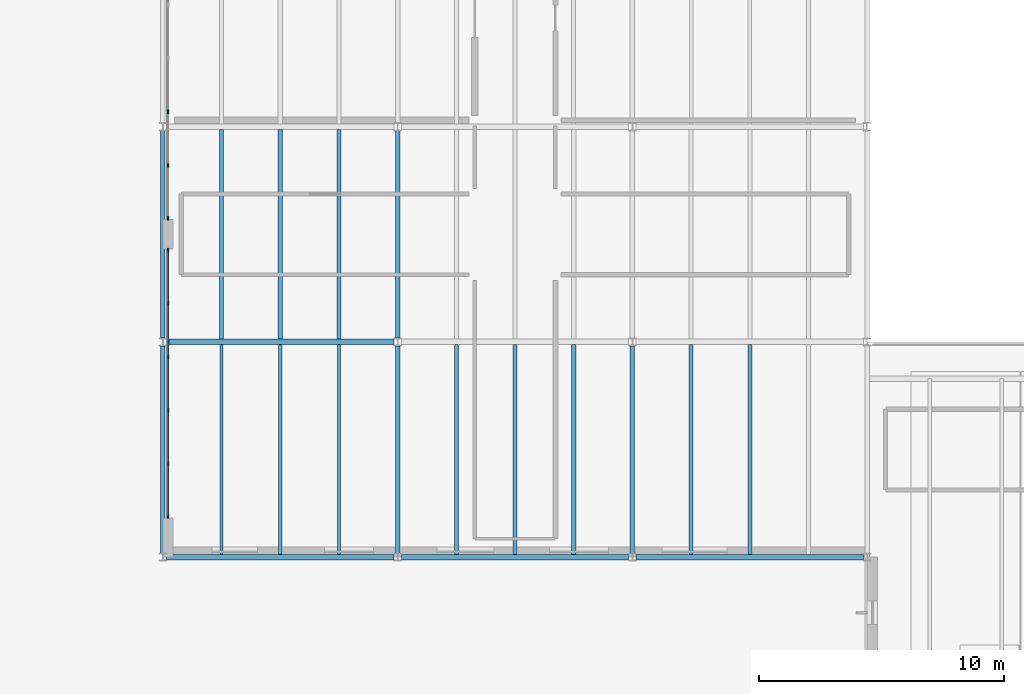
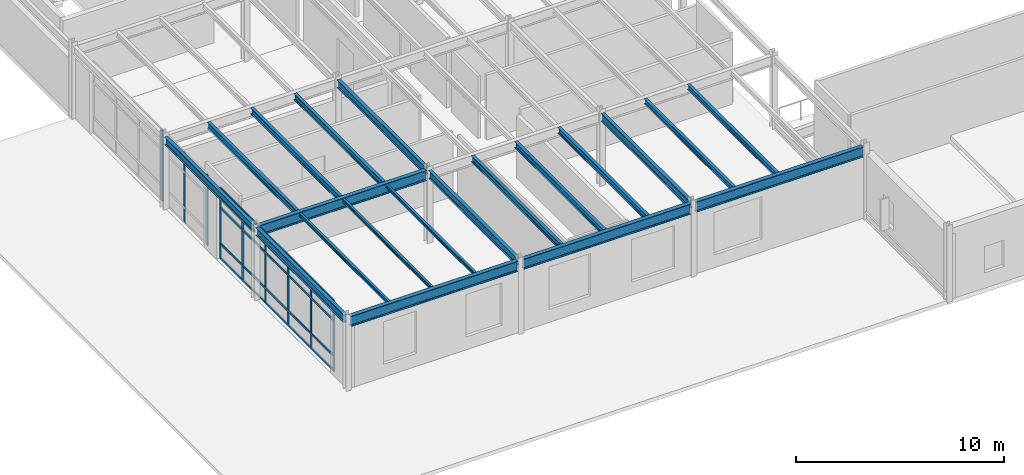
# One storey, part 18 of 77: 20 beams, 13 members, 2 elements without a shape of their own.
"""IFC4 building model written with IfcOpenShell, lengths in metres."""

from ifc_helpers import new_model, si_unit, direction, frame, origin, origin_2d, place, context, subcontext, project, spatial, rectangle, i_section, extrude, material, material_profile, profile_set, type_object, element, aggregate, save


model = new_model("IFC4")

# Units and contexts
model_context = context("Model", 3, precision=1e-05, world=origin(), true_north=direction((0.0, 1.0)))
body_context = subcontext(model_context, "Body", "Model", "MODEL_VIEW")
ifc_project = project(units=[si_unit("LENGTHUNIT", "METRE"), si_unit("AREAUNIT", "SQUARE_METRE"), si_unit("VOLUMEUNIT", "CUBIC_METRE"), si_unit("PLANEANGLEUNIT", "RADIAN"), si_unit("MASSUNIT", "GRAM", prefix="KILO")], contexts=[model_context])

# Site, building, storey
site_placement = place(None, origin())
site = spatial("IfcSite", under=ifc_project, at=site_placement, CompositionType="ELEMENT")
building_placement = place(site_placement, origin())
building = spatial("IfcBuilding", under=site, at=building_placement, Name="Sarnbrook Museum", CompositionType="ELEMENT")
storey_placement = place(building_placement, frame((0.0, 0.0, 5.60009765625)))
storey = spatial("IfcBuildingStorey", under=building, at=storey_placement, Name="L01", CompositionType="ELEMENT", Elevation=5.60009765625)

# Beams
ifc_material_1 = material(Name="Structural Steel Grade 300PLUS (AS/NZS 3679.1, fy = 280 MPa for 17 < t <= 40 mm, 300 MPa for t <= 17 mm)", Category="steel")
ifc_material_profile_1 = material_profile(ifc_material_1, i_section(OverallWidth=0.18994140625, OverallDepth=0.45703125, WebThickness=0.009033203125, FlangeThickness=0.014404296875, FilletRadius=0.011474609375, at=origin_2d()), Name="460UB74.6")
ifc_profile_set_1 = profile_set([ifc_material_profile_1], Name="Structural Steel Grade 300PLUS (AS/NZS 3679.1, fy = 280 MPa for 17 < t <= 40 mm, 300 MPa for t <= 17 mm)")
beam_type_1 = type_object("IfcBeamType", Name="BM-UB460", PredefinedType="BEAM", material=ifc_profile_set_1)
for number, where, z_axis, x_axis, name in (
    (1, (13.60009765625, 12.95751953125, 4.0615234375), (0.0, 1.0, 0.0), (-1.0, 0.0, 0.0), "Girder 2:B-C L01"),
    (2, (13.60009765625, 21.757568359375, 4.0615234375), (0.0, 1.0, 0.0), (-1.0, 0.0, 0.0), "Girder 2:C-D L01"),
    (3, (23.199951171875, 12.95751953125, 4.0615234375), (0.0, 1.0, 0.0), (-1.0, 0.0, 0.0), "Girder 3:B-C L01"),
    (4, (23.199951171875, 21.757568359375, 4.0615234375), (0.0, 1.0, 0.0), (-1.0, 0.0, 0.0), "Girder 3:C-D L01"),
    (5, (32.800048828125, 12.95751953125, 4.0615234375), (0.0, 1.0, 0.0), (-1.0, 0.0, 0.0), "Girder 4:B-C L01"),
):
    element("IfcBeam", number, at=place(storey_placement, frame(where, z_axis=z_axis, x_axis=x_axis)), inside=storey, type_object=beam_type_1, Name=name, PredefinedType="BEAM", context=body_context, shape_type="SweptSolid", body=[
        extrude(i_section(OverallWidth=0.18994140625, OverallDepth=0.45703125, WebThickness=0.009033203125, FlangeThickness=0.014404296875, FilletRadius=0.011474609375, at=origin_2d()), origin(), (0.0, 0.0, 1.0), 8.48486328125),
    ])
ifc_material_profile_2 = material_profile(ifc_material_1, i_section(OverallWidth=0.22802734375, OverallDepth=0.60693359375, WebThickness=0.01123046875, FlangeThickness=0.017333984375, FilletRadius=0.013916015625, at=origin_2d()), Name="610UB113")
ifc_profile_set_2 = profile_set([ifc_material_profile_2], Name="Structural Steel Grade 300PLUS (AS/NZS 3679.1, fy = 280 MPa for 17 < t <= 40 mm, 300 MPa for t <= 17 mm)")
beam_type_2 = type_object("IfcBeamType", Name="BM-UB610", PredefinedType="BEAM", material=ifc_profile_set_2)
for number, where, z_axis, x_axis, name in (
    (6, (13.75341796875, 12.800048828125, 3.986328125), (1.0, 0.0, 0.0), (0.0, 1.0, 0.0), "Girder B:2-3 L01"),
    (7, (23.353515625, 12.800048828125, 3.986328125), (1.0, 0.0, 0.0), (0.0, 1.0, 0.0), "Girder B:3-4 L01"),
    (8, (32.95361328125, 12.800048828125, 3.986328125), (1.0, 0.0, 0.0), (0.0, 1.0, 0.0), "Girder B:4-5 L01"),
    (9, (13.75341796875, 21.60009765625, 3.986328125), (1.0, 0.0, 0.0), (0.0, 1.0, 0.0), "Girder C:2-3 L01"),
):
    element("IfcBeam", number, at=place(storey_placement, frame(where, z_axis=z_axis, x_axis=x_axis)), inside=storey, type_object=beam_type_2, Name=name, PredefinedType="BEAM", context=body_context, shape_type="SweptSolid", body=[
        extrude(i_section(OverallWidth=0.22802734375, OverallDepth=0.60693359375, WebThickness=0.01123046875, FlangeThickness=0.017333984375, FilletRadius=0.013916015625, at=origin_2d()), origin(), (0.0, 0.0, 1.0), 9.29296875),
    ])

# Curtain wall, members
ifc_material_2 = material(Name="Thermally Broken Anodised Aluminium 6063-T6", Category="aluminium")
curtain_wall_type = type_object("IfcCurtainWallType", Name="CurtainWall_GalleryRibbon", PredefinedType="NOTDEFINED", material=ifc_material_2)
curtain_wall_1_placement = place(storey_placement, origin())
curtain_wall_1 = element("IfcCurtainWall", 10, at=curtain_wall_1_placement, inside=storey, type_object=curtain_wall_type, Name="Gallery Ribbon Curtain Wall L01-12.1", PredefinedType="NOTDEFINED")
ifc_material_profile_3 = material_profile(ifc_material_2, rectangle(XDim=0.06005859375, YDim=0.159912109375, at=origin_2d()), Name="ALU MULLION 60x160")
ifc_profile_set_3 = profile_set([ifc_material_profile_3], Name="Thermally Broken Anodised Aluminium 6063-T6")
member_type_1 = type_object("IfcMemberType", Name="CW_Mullion_150x65", PredefinedType="MULLION", material=ifc_profile_set_3)
member_1_placement = place(storey_placement, frame((13.81005859375, 31.00390625, 0.0), z_axis=(0.0, 0.0, 1.0), x_axis=(1.0, 0.0, 0.0)))
member_1 = element("IfcMember", 11, at=member_1_placement, type_object=member_type_1, Name="Gallery Ribbon Curtain Wall L01-12.1 Mullion 4", PredefinedType="MULLION", context=body_context, shape_type="SweptSolid", body=[
    extrude(rectangle(XDim=0.06005859375, YDim=0.159912109375, at=origin_2d()), origin(), (0.0, 0.0, 1.0), 4.159912109375),
])
member_2_placement = place(storey_placement, frame((13.81005859375, 28.81201171875, 0.0), z_axis=(0.0, 0.0, 1.0), x_axis=(1.0, 0.0, 0.0)))
member_2 = element("IfcMember", 12, at=member_2_placement, type_object=member_type_1, Name="Gallery Ribbon Curtain Wall L01-12.1 Mullion 5", PredefinedType="MULLION", context=body_context, shape_type="SweptSolid", body=[
    extrude(rectangle(XDim=0.06005859375, YDim=0.159912109375, at=origin_2d()), origin(), (0.0, 0.0, 1.0), 4.159912109375),
])
member_3_placement = place(storey_placement, frame((13.81005859375, 26.659912109375, 0.0), z_axis=(0.0, 0.0, 1.0), x_axis=(1.0, 0.0, 0.0)))
member_3 = element("IfcMember", 13, at=member_3_placement, type_object=member_type_1, Name="Gallery Ribbon Curtain Wall L01-12.1 Mullion 6", PredefinedType="MULLION", context=body_context, shape_type="SweptSolid", body=[
    extrude(rectangle(XDim=0.06005859375, YDim=0.159912109375, at=origin_2d()), origin(), (0.0, 0.0, 1.0), 4.159912109375),
])
aggregate(curtain_wall_1, [member_1, member_2, member_3])

curtain_wall_2_placement = place(storey_placement, origin())
curtain_wall_2 = element("IfcCurtainWall", 14, at=curtain_wall_2_placement, inside=storey, type_object=curtain_wall_type, Name="Gallery Ribbon Curtain Wall L01-12.2", PredefinedType="NOTDEFINED")
member_4_placement = place(storey_placement, frame((13.81005859375, 25.340087890625, 0.0), z_axis=(0.0, 0.0, 1.0), x_axis=(1.0, 0.0, 0.0)))
member_4 = element("IfcMember", 15, at=member_4_placement, type_object=member_type_1, Name="Gallery Ribbon Curtain Wall L01-12.2 Mullion 1", PredefinedType="MULLION", context=body_context, shape_type="SweptSolid", body=[
    extrude(rectangle(XDim=0.06005859375, YDim=0.159912109375, at=origin_2d()), origin(), (0.0, 0.0, 1.0), 4.159912109375),
])
member_5_placement = place(storey_placement, frame((13.81005859375, 23.18798828125, 0.0), z_axis=(0.0, 0.0, 1.0), x_axis=(1.0, 0.0, 0.0)))
member_5 = element("IfcMember", 16, at=member_5_placement, type_object=member_type_1, Name="Gallery Ribbon Curtain Wall L01-12.2 Mullion 2", PredefinedType="MULLION", context=body_context, shape_type="SweptSolid", body=[
    extrude(rectangle(XDim=0.06005859375, YDim=0.159912109375, at=origin_2d()), origin(), (0.0, 0.0, 1.0), 4.159912109375),
])
member_6_placement = place(storey_placement, frame((13.81005859375, 20.99609375, 0.0), z_axis=(0.0, 0.0, 1.0), x_axis=(1.0, 0.0, 0.0)))
member_6 = element("IfcMember", 17, at=member_6_placement, type_object=member_type_1, Name="Gallery Ribbon Curtain Wall L01-12.2 Mullion 3", PredefinedType="MULLION", context=body_context, shape_type="SweptSolid", body=[
    extrude(rectangle(XDim=0.06005859375, YDim=0.159912109375, at=origin_2d()), origin(), (0.0, 0.0, 1.0), 4.159912109375),
])
member_7_placement = place(storey_placement, frame((13.81005859375, 18.803955078125, 0.0), z_axis=(0.0, 0.0, 1.0), x_axis=(1.0, 0.0, 0.0)))
member_7 = element("IfcMember", 18, at=member_7_placement, type_object=member_type_1, Name="Gallery Ribbon Curtain Wall L01-12.2 Mullion 4", PredefinedType="MULLION", context=body_context, shape_type="SweptSolid", body=[
    extrude(rectangle(XDim=0.06005859375, YDim=0.159912109375, at=origin_2d()), origin(), (0.0, 0.0, 1.0), 4.159912109375),
])
member_8_placement = place(storey_placement, frame((13.81005859375, 16.612060546875, 0.0), z_axis=(0.0, 0.0, 1.0), x_axis=(1.0, 0.0, 0.0)))
member_8 = element("IfcMember", 19, at=member_8_placement, type_object=member_type_1, Name="Gallery Ribbon Curtain Wall L01-12.2 Mullion 5", PredefinedType="MULLION", context=body_context, shape_type="SweptSolid", body=[
    extrude(rectangle(XDim=0.06005859375, YDim=0.159912109375, at=origin_2d()), origin(), (0.0, 0.0, 1.0), 4.159912109375),
])
member_9_placement = place(storey_placement, frame((13.81005859375, 14.4599609375, 0.0), z_axis=(0.0, 0.0, 1.0), x_axis=(1.0, 0.0, 0.0)))
member_9 = element("IfcMember", 20, at=member_9_placement, type_object=member_type_1, Name="Gallery Ribbon Curtain Wall L01-12.2 Mullion 6", PredefinedType="MULLION", context=body_context, shape_type="SweptSolid", body=[
    extrude(rectangle(XDim=0.06005859375, YDim=0.159912109375, at=origin_2d()), origin(), (0.0, 0.0, 1.0), 4.159912109375),
])
ifc_material_profile_4 = material_profile(ifc_material_2, rectangle(XDim=0.06494140625, YDim=0.139892578125, at=origin_2d()), Name="ALU TRANSOM 65x140")
ifc_profile_set_4 = profile_set([ifc_material_profile_4], Name="Thermally Broken Anodised Aluminium 6063-T6")
member_type_2 = type_object("IfcMemberType", Name="CW_Transom_150x65", PredefinedType="USERDEFINED", material=ifc_profile_set_4)
member_10_placement = place(storey_placement, frame((13.81005859375, 25.330078125, 0.039794921875), z_axis=(0.0, -1.0, 0.0), x_axis=(1.0, 0.0, 0.0)))
member_10 = element("IfcMember", 21, at=member_10_placement, type_object=member_type_2, Name="Gallery Ribbon Curtain Wall L01-12.2 Transom 1", ObjectType="TRANSOM", PredefinedType="USERDEFINED", context=body_context, shape_type="SweptSolid", body=[
    extrude(rectangle(XDim=0.06494140625, YDim=0.139892578125, at=origin_2d()), origin(), (0.0, 0.0, 1.0), 10.860107421875),
])
member_11_placement = place(storey_placement, frame((13.81005859375, 25.330078125, 0.89990234375), z_axis=(0.0, -1.0, 0.0), x_axis=(1.0, 0.0, 0.0)))
member_11 = element("IfcMember", 22, at=member_11_placement, type_object=member_type_2, Name="Gallery Ribbon Curtain Wall L01-12.2 Transom 2", ObjectType="TRANSOM", PredefinedType="USERDEFINED", context=body_context, shape_type="SweptSolid", body=[
    extrude(rectangle(XDim=0.06494140625, YDim=0.139892578125, at=origin_2d()), origin(), (0.0, 0.0, 1.0), 10.860107421875),
])
member_12_placement = place(storey_placement, frame((13.81005859375, 25.330078125, 3.0), z_axis=(0.0, -1.0, 0.0), x_axis=(1.0, 0.0, 0.0)))
member_12 = element("IfcMember", 23, at=member_12_placement, type_object=member_type_2, Name="Gallery Ribbon Curtain Wall L01-12.2 Transom 3", ObjectType="TRANSOM", PredefinedType="USERDEFINED", context=body_context, shape_type="SweptSolid", body=[
    extrude(rectangle(XDim=0.06494140625, YDim=0.139892578125, at=origin_2d()), origin(), (0.0, 0.0, 1.0), 10.860107421875),
])
member_13_placement = place(storey_placement, frame((13.81005859375, 25.330078125, 4.119873046875), z_axis=(0.0, -1.0, 0.0), x_axis=(1.0, 0.0, 0.0)))
member_13 = element("IfcMember", 24, at=member_13_placement, type_object=member_type_2, Name="Gallery Ribbon Curtain Wall L01-12.2 Transom 4", ObjectType="TRANSOM", PredefinedType="USERDEFINED", context=body_context, shape_type="SweptSolid", body=[
    extrude(rectangle(XDim=0.06494140625, YDim=0.139892578125, at=origin_2d()), origin(), (0.0, 0.0, 1.0), 10.860107421875),
])
aggregate(curtain_wall_2, [member_4, member_5, member_6, member_7, member_8, member_9, member_10, member_11, member_12, member_13])

# Beams
ifc_material_profile_5 = material_profile(ifc_material_1, i_section(OverallWidth=0.134033203125, OverallDepth=0.20703125, WebThickness=0.00634765625, FlangeThickness=0.009521484375, FilletRadius=0.0087890625, at=origin_2d()), Name="200UB29.8")
ifc_profile_set_5 = profile_set([ifc_material_profile_5], Name="Structural Steel Grade 300PLUS (AS/NZS 3679.1, fy = 280 MPa for 17 < t <= 40 mm, 300 MPa for t <= 17 mm)")
beam_type_3 = type_object("IfcBeamType", Name="JS-UB200", PredefinedType="JOIST", material=ifc_profile_set_5)
for number, where, z_axis, x_axis, name in (
    (25, (16.0, 12.9140625, 4.1865234375), (0.0, 1.0, 0.0), (-1.0, 0.0, 0.0), "Composite Floor Joist 2B-1 L01"),
    (26, (18.39990234375, 12.9140625, 4.1865234375), (0.0, 1.0, 0.0), (-1.0, 0.0, 0.0), "Composite Floor Joist 2B-2 L01"),
    (27, (20.800048828125, 12.9140625, 4.1865234375), (0.0, 1.0, 0.0), (-1.0, 0.0, 0.0), "Composite Floor Joist 2B-3 L01"),
):
    element("IfcBeam", number, at=place(storey_placement, frame(where, z_axis=z_axis, x_axis=x_axis)), inside=storey, type_object=beam_type_3, Name=name, PredefinedType="JOIST", context=body_context, shape_type="SweptSolid", body=[
        extrude(i_section(OverallWidth=0.134033203125, OverallDepth=0.20703125, WebThickness=0.00634765625, FlangeThickness=0.009521484375, FilletRadius=0.0087890625, at=origin_2d()), origin(), (0.0, 0.0, 1.0), 8.572021484375),
    ])
ifc_material_profile_6 = material_profile(ifc_material_1, i_section(OverallWidth=0.166015625, OverallDepth=0.306884765625, WebThickness=0.006591796875, FlangeThickness=0.01171875, FilletRadius=0.011474609375, at=origin_2d()), Name="310UB46.2")
ifc_profile_set_6 = profile_set([ifc_material_profile_6], Name="Structural Steel Grade 300PLUS (AS/NZS 3679.1, fy = 280 MPa for 17 < t <= 40 mm, 300 MPa for t <= 17 mm)")
beam_type_4 = type_object("IfcBeamType", Name="JS-UB310H", PredefinedType="JOIST", material=ifc_profile_set_6)
for number, where, z_axis, x_axis, name in (
    (28, (35.199951171875, 12.9140625, 4.136474609375), (0.0, 1.0, 0.0), (-1.0, 0.0, 0.0), "Composite Floor Joist 4B-1 L01"),
    (29, (37.60009765625, 12.9140625, 4.136474609375), (0.0, 1.0, 0.0), (-1.0, 0.0, 0.0), "Composite Floor Joist 4B-2 L01"),
):
    element("IfcBeam", number, at=place(storey_placement, frame(where, z_axis=z_axis, x_axis=x_axis)), inside=storey, type_object=beam_type_4, Name=name, PredefinedType="JOIST", context=body_context, shape_type="SweptSolid", body=[
        extrude(i_section(OverallWidth=0.166015625, OverallDepth=0.306884765625, WebThickness=0.006591796875, FlangeThickness=0.01171875, FilletRadius=0.011474609375, at=origin_2d()), origin(), (0.0, 0.0, 1.0), 8.572021484375),
    ])
ifc_material_profile_7 = material_profile(ifc_material_1, i_section(OverallWidth=0.1708984375, OverallDepth=0.35595703125, WebThickness=0.00732421875, FlangeThickness=0.011474609375, FilletRadius=0.011474609375, at=origin_2d()), Name="360UB50.7")
ifc_profile_set_7 = profile_set([ifc_material_profile_7], Name="Structural Steel Grade 300PLUS (AS/NZS 3679.1, fy = 280 MPa for 17 < t <= 40 mm, 300 MPa for t <= 17 mm)")
beam_type_5 = type_object("IfcBeamType", Name="JS-UB360", PredefinedType="JOIST", material=ifc_profile_set_7)
for number, where, z_axis, x_axis, name in (
    (30, (16.0, 21.714111328125, 4.11181640625), (0.0, 1.0, 0.0), (-1.0, 0.0, 0.0), "Composite Floor Joist 2C-1 L01"),
    (31, (18.39990234375, 21.714111328125, 4.11181640625), (0.0, 1.0, 0.0), (-1.0, 0.0, 0.0), "Composite Floor Joist 2C-2 L01"),
    (32, (20.800048828125, 21.714111328125, 4.11181640625), (0.0, 1.0, 0.0), (-1.0, 0.0, 0.0), "Composite Floor Joist 2C-3 L01"),
):
    element("IfcBeam", number, at=place(storey_placement, frame(where, z_axis=z_axis, x_axis=x_axis)), inside=storey, type_object=beam_type_5, Name=name, PredefinedType="JOIST", context=body_context, shape_type="SweptSolid", body=[
        extrude(i_section(OverallWidth=0.1708984375, OverallDepth=0.35595703125, WebThickness=0.00732421875, FlangeThickness=0.011474609375, FilletRadius=0.011474609375, at=origin_2d()), origin(), (0.0, 0.0, 1.0), 8.57177734375),
    ])
for number, where, z_axis, x_axis, name in (
    (33, (25.60009765625, 12.9140625, 4.11181640625), (0.0, 1.0, 0.0), (-1.0, 0.0, 0.0), "Composite Floor Joist 3B-1 L01"),
    (34, (28.0, 12.9140625, 4.11181640625), (0.0, 1.0, 0.0), (-1.0, 0.0, 0.0), "Composite Floor Joist 3B-2 L01"),
    (35, (30.39990234375, 12.9140625, 4.11181640625), (0.0, 1.0, 0.0), (-1.0, 0.0, 0.0), "Composite Floor Joist 3B-3 L01"),
):
    element("IfcBeam", number, at=place(storey_placement, frame(where, z_axis=z_axis, x_axis=x_axis)), inside=storey, type_object=beam_type_5, Name=name, PredefinedType="JOIST", context=body_context, shape_type="SweptSolid", body=[
        extrude(i_section(OverallWidth=0.1708984375, OverallDepth=0.35595703125, WebThickness=0.00732421875, FlangeThickness=0.011474609375, FilletRadius=0.011474609375, at=origin_2d()), origin(), (0.0, 0.0, 1.0), 8.572021484375),
    ])

save(model, "model.ifc")
